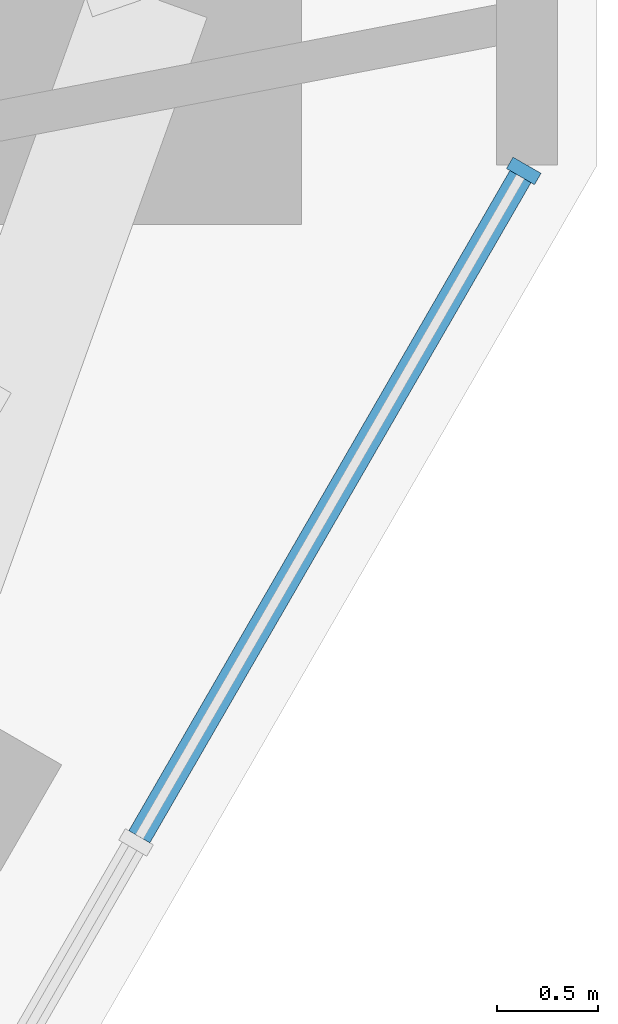
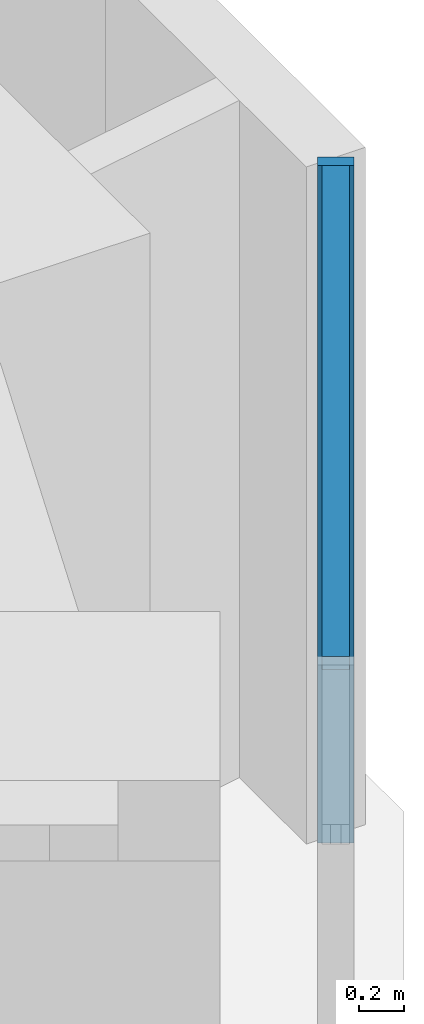
# One storey, part 6 of 16: 2 members, 1 element without a shape of its own.
"""IFC4 building model written with IfcOpenShell, lengths in metres."""

from ifc_helpers import new_model, si_unit, direction, frame, origin, origin_2d, place, context, subcontext, project, spatial, rectangle, extrude, material, material_profile, profile_set, type_object, element, aggregate, save


model = new_model("IFC4")

# Units and contexts
model_context = context("Model", 3, precision=1e-05, world=origin(), true_north=direction((0.0, 1.0)))
body_context = subcontext(model_context, "Body", "Model", "MODEL_VIEW")
ifc_project = project(units=[si_unit("LENGTHUNIT", "METRE"), si_unit("AREAUNIT", "SQUARE_METRE"), si_unit("VOLUMEUNIT", "CUBIC_METRE"), si_unit("PLANEANGLEUNIT", "RADIAN"), si_unit("MASSUNIT", "GRAM", prefix="KILO")], contexts=[model_context])

# Site, building, storey
site_placement = place(None, origin())
site = spatial("IfcSite", under=ifc_project, at=site_placement, CompositionType="ELEMENT")
building_placement = place(site_placement, origin())
building = spatial("IfcBuilding", under=site, at=building_placement, Name="Sandreach Pilgrim Tower", CompositionType="ELEMENT")
storey_placement = place(building_placement, frame((0.0, 0.0, 187.0)))
storey = spatial("IfcBuildingStorey", under=building, at=storey_placement, Name="L46", CompositionType="ELEMENT", Elevation=187.0)

# Curtain wall, members
ifc_material_1 = material(Name="Aluminium framed curtain wall", Category="aluminium")
curtain_wall_type = type_object("IfcCurtainWallType", Name="Upper hotel tower curtain wall", PredefinedType="NOTDEFINED", material=ifc_material_1)
curtain_wall_placement = place(storey_placement, origin())
curtain_wall = element("IfcCurtainWall", 1, at=curtain_wall_placement, inside=storey, type_object=curtain_wall_type, Name="CW-3 L46 SE", PredefinedType="NOTDEFINED")
ifc_material_2 = material(Name="Aluminium extrusion", Category="aluminium")
ifc_material_profile_1 = material_profile(ifc_material_2, rectangle(XDim=0.06494140625, YDim=0.159912109375, at=origin_2d()), Name="CW-3M 65X160")
ifc_profile_set_1 = profile_set([ifc_material_profile_1], Name="Aluminium extrusion")
member_type_1 = type_object("IfcMemberType", Name="CW-3 mullion", PredefinedType="MULLION", material=ifc_profile_set_1)
member_1_placement = place(storey_placement, frame((27.00390625, 4.451904296875, 0.0), z_axis=(0.0, 0.0, 1.0), x_axis=(-0.5, -0.866025403784, 0.0)))
member_1 = element("IfcMember", 2, at=member_1_placement, type_object=member_type_1, Name="CW-3 mullion 1", PredefinedType="MULLION", context=body_context, shape_type="SweptSolid", body=[
    extrude(rectangle(XDim=0.06494140625, YDim=0.159912109375, at=origin_2d()), origin(), (0.0, 0.0, 1.0), 3.639892578125),
])
ifc_material_3 = material(Name="Aluminium extrusion", Category="aluminium")
ifc_material_profile_2 = material_profile(ifc_material_3, rectangle(XDim=0.1201171875, YDim=0.070068359375, at=origin_2d()), Name="CW-3T 120X70")
ifc_profile_set_2 = profile_set([ifc_material_profile_2], Name="Aluminium extrusion")
member_type_2 = type_object("IfcMemberType", Name="CW-3 transom", PredefinedType="USERDEFINED", material=ifc_profile_set_2)
member_2_placement = place(storey_placement, frame((26.987548828125, 4.423828125, 3.60498046875), z_axis=(-0.499944992379, -0.86605716012, 0.0), x_axis=(0.86605716012, -0.499944992379, 0.0)))
member_2 = element("IfcMember", 3, at=member_2_placement, type_object=member_type_2, Name="CW-3 head transom 1", ObjectType="TRANSOM", PredefinedType="USERDEFINED", context=body_context, shape_type="SweptSolid", body=[
    extrude(rectangle(XDim=0.1201171875, YDim=0.070068359375, at=origin_2d()), origin(), (0.0, 0.0, 1.0), 3.76708984375),
])
aggregate(curtain_wall, [member_1, member_2])

save(model, "model.ifc")
